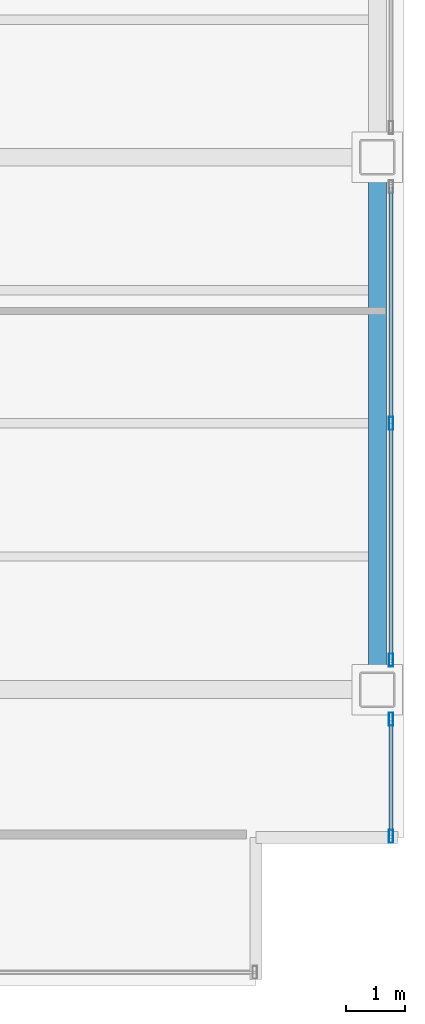
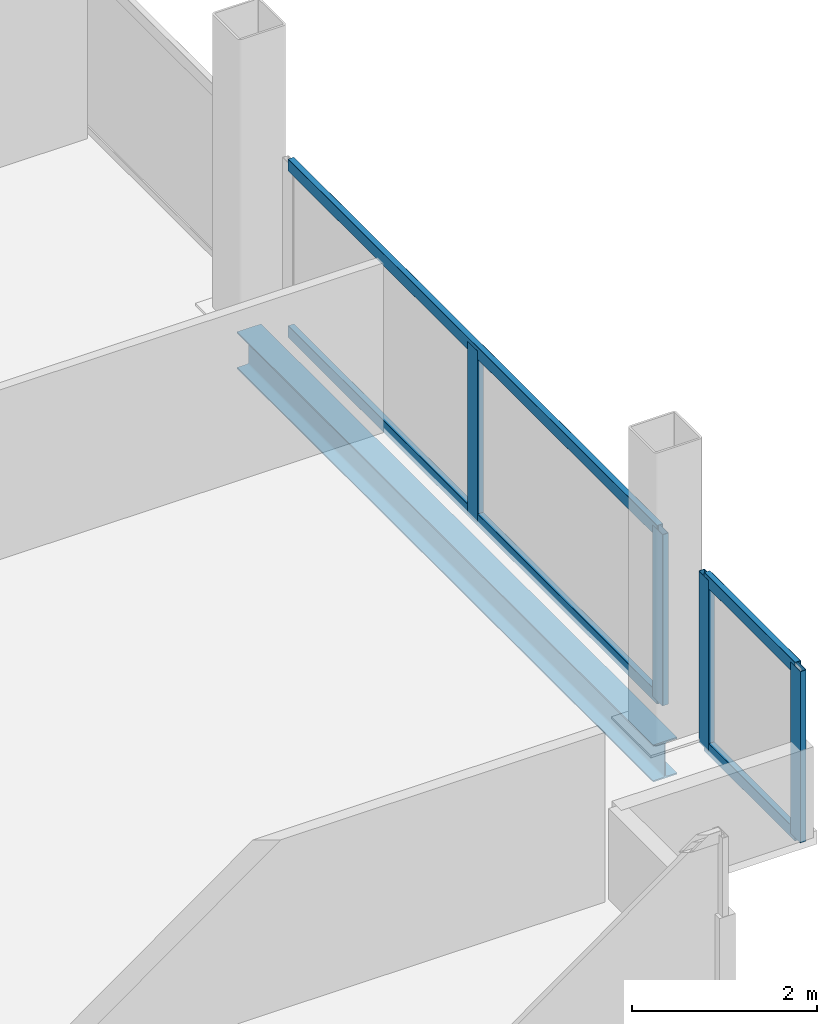
# One storey, part 10 of 21: 8 members, 1 beam, 2 elements without a shape of their own.
"""IFC4 building model written with IfcOpenShell, lengths in metres."""

from ifc_helpers import new_model, si_unit, direction, frame, origin, origin_2d, place, context, subcontext, project, spatial, hollow_rectangle, i_section, extrude, material, material_profile, profile_set, type_object, element, aggregate, save


model = new_model("IFC4")

# Units and contexts
model_context = context("Model", 3, precision=1e-05, world=origin(), true_north=direction((0.0, 1.0)))
body_context = subcontext(model_context, "Body", "Model", "MODEL_VIEW")
ifc_project = project(units=[si_unit("LENGTHUNIT", "METRE"), si_unit("AREAUNIT", "SQUARE_METRE"), si_unit("VOLUMEUNIT", "CUBIC_METRE"), si_unit("PLANEANGLEUNIT", "RADIAN"), si_unit("MASSUNIT", "GRAM", prefix="KILO")], contexts=[model_context])

# Site, building, storey
site_placement = place(None, origin())
site = spatial("IfcSite", under=ifc_project, at=site_placement, CompositionType="ELEMENT")
building_placement = place(site_placement, origin())
building = spatial("IfcBuilding", under=site, at=building_placement, Name="Noeulbin Bourse Tower", CompositionType="ELEMENT")
storey_placement = place(building_placement, frame((0.0, 0.0, 77.199951171875)))
storey = spatial("IfcBuildingStorey", under=building, at=storey_placement, Name="L19", CompositionType="ELEMENT", Elevation=77.199951171875)

# Beam
ifc_material_1 = material(Name="Steel S355", Category="steel")
ifc_material_profile_1 = material_profile(ifc_material_1, i_section(OverallWidth=0.300048828125, OverallDepth=0.488037109375, WebThickness=0.010986328125, FlangeThickness=0.01806640625, FilletRadius=0.02197265625, at=origin_2d()), Name="H-488x300x11x18", Category="LoadBearing")
ifc_profile_set_1 = profile_set([ifc_material_profile_1], Name="Steel S355")
beam_type = type_object("IfcBeamType", Name="BM-SPN-488", PredefinedType="SPANDREL", material=ifc_profile_set_1)
beam_placement = place(storey_placement, frame((57.050048828125, 20.0, -0.424072265625), z_axis=(0.0, 1.0, 0.0), x_axis=(-1.0, 0.0, 0.0)))
element("IfcBeam", 1, at=beam_placement, inside=storey, type_object=beam_type, Name="East Spandrel L19-1", PredefinedType="SPANDREL", context=body_context, shape_type="SweptSolid", body=[
    extrude(i_section(OverallWidth=0.300048828125, OverallDepth=0.488037109375, WebThickness=0.010986328125, FlangeThickness=0.01806640625, FilletRadius=0.02197265625, at=origin_2d()), origin(), (0.0, 0.0, 1.0), 9.0),
])

# Curtain wall, members
ifc_material_2 = material(Name="Dark Solar-Control Double Glazing", Category="glass")
curtain_wall_type = type_object("IfcCurtainWallType", Name="CW-SYS-2", PredefinedType="NOTDEFINED", material=ifc_material_2)
curtain_wall_1_placement = place(storey_placement, origin())
curtain_wall_1 = element("IfcCurtainWall", 2, at=curtain_wall_1_placement, inside=storey, type_object=curtain_wall_type, Name="Unitised Curtain Wall CW-L19-E-S1", PredefinedType="NOTDEFINED")
ifc_material_3 = material(Name="Anodised Aluminium 6063-T6", Category="aluminium")
ifc_material_profile_2 = material_profile(ifc_material_3, hollow_rectangle(XDim=0.074951171875, YDim=0.219970703125, WallThickness=0.0048828125, InnerFilletRadius=0.00244140625, OuterFilletRadius=0.0048828125, at=origin_2d()), Name="ALU-MULL-75x220x5", Category="LoadBearing")
ifc_profile_set_2 = profile_set([ifc_material_profile_2], Name="Anodised Aluminium 6063-T6")
member_type_1 = type_object("IfcMemberType", Name="CW-SYS-2-MUL", PredefinedType="MULLION", material=ifc_profile_set_2)
member_1_placement = place(storey_placement, frame((57.280029296875, 17.52001953125, -0.02001953125), z_axis=(0.0, 0.0, 1.0), x_axis=(1.0, 0.0, 0.0)))
member_1 = element("IfcMember", 3, at=member_1_placement, type_object=member_type_1, Name="Curtain Wall Mullion CW-L19-E-S1-M00", PredefinedType="MULLION", context=body_context, shape_type="SweptSolid", body=[
    extrude(hollow_rectangle(XDim=0.074951171875, YDim=0.219970703125, WallThickness=0.0048828125, InnerFilletRadius=0.00244140625, OuterFilletRadius=0.0048828125, at=origin_2d()), origin(), (0.0, 0.0, 1.0), 2.260009765625),
])
member_2_placement = place(storey_placement, frame((57.280029296875, 19.5, -0.02001953125), z_axis=(0.0, 0.0, 1.0), x_axis=(1.0, 0.0, 0.0)))
member_2 = element("IfcMember", 4, at=member_2_placement, type_object=member_type_1, Name="Curtain Wall Mullion CW-L19-E-S1-M01", PredefinedType="MULLION", context=body_context, shape_type="SweptSolid", body=[
    extrude(hollow_rectangle(XDim=0.074951171875, YDim=0.219970703125, WallThickness=0.0048828125, InnerFilletRadius=0.00244140625, OuterFilletRadius=0.0048828125, at=origin_2d()), origin(), (0.0, 0.0, 1.0), 2.260009765625),
])

curtain_wall_2_placement = place(storey_placement, origin())
curtain_wall_2 = element("IfcCurtainWall", 5, at=curtain_wall_2_placement, inside=storey, type_object=curtain_wall_type, Name="Unitised Curtain Wall CW-L19-E-S2", PredefinedType="NOTDEFINED")
member_3_placement = place(storey_placement, frame((57.280029296875, 20.5, -0.02001953125), z_axis=(0.0, 0.0, 1.0), x_axis=(1.0, 0.0, 0.0)))
member_3 = element("IfcMember", 6, at=member_3_placement, type_object=member_type_1, Name="Curtain Wall Mullion CW-L19-E-S2-M00", PredefinedType="MULLION", context=body_context, shape_type="SweptSolid", body=[
    extrude(hollow_rectangle(XDim=0.074951171875, YDim=0.219970703125, WallThickness=0.0048828125, InnerFilletRadius=0.00244140625, OuterFilletRadius=0.0048828125, at=origin_2d()), origin(), (0.0, 0.0, 1.0), 2.260009765625),
])
member_4_placement = place(storey_placement, frame((57.280029296875, 24.5, -0.02001953125), z_axis=(0.0, 0.0, 1.0), x_axis=(1.0, 0.0, 0.0)))
member_4 = element("IfcMember", 7, at=member_4_placement, type_object=member_type_1, Name="Curtain Wall Mullion CW-L19-E-S2-M01", PredefinedType="MULLION", context=body_context, shape_type="SweptSolid", body=[
    extrude(hollow_rectangle(XDim=0.074951171875, YDim=0.219970703125, WallThickness=0.0048828125, InnerFilletRadius=0.00244140625, OuterFilletRadius=0.0048828125, at=origin_2d()), origin(), (0.0, 0.0, 1.0), 2.260009765625),
])

# Member
ifc_material_profile_3 = material_profile(ifc_material_3, hollow_rectangle(XDim=0.074951171875, YDim=0.159912109375, WallThickness=0.0048828125, InnerFilletRadius=0.00244140625, OuterFilletRadius=0.0048828125, at=origin_2d()), Name="ALU-TRAN-75x160x5", Category="LoadBearing")
ifc_profile_set_3 = profile_set([ifc_material_profile_3], Name="Anodised Aluminium 6063-T6")
member_type_2 = type_object("IfcMemberType", Name="CW-SYS-2-TRN", PredefinedType="USERDEFINED", material=ifc_profile_set_3)
member_5_placement = place(storey_placement, frame((57.280029296875, 17.530029296875, 0.010009765625), z_axis=(0.0, 1.0, 0.0), x_axis=(-1.0, 0.0, 0.0)))
member_5 = element("IfcMember", 8, at=member_5_placement, type_object=member_type_2, Name="Curtain Wall Transom CW-L19-E-S1-T00", ObjectType="TRANSOM", PredefinedType="USERDEFINED", context=body_context, shape_type="SweptSolid", body=[
    extrude(hollow_rectangle(XDim=0.074951171875, YDim=0.159912109375, WallThickness=0.0048828125, InnerFilletRadius=0.00244140625, OuterFilletRadius=0.0048828125, at=origin_2d()), origin(), (0.0, 0.0, 1.0), 1.9599609375),
])

member_6_placement = place(storey_placement, frame((57.280029296875, 17.530029296875, 2.2099609375), z_axis=(0.0, 1.0, 0.0), x_axis=(-1.0, 0.0, 0.0)))
member_6 = element("IfcMember", 9, at=member_6_placement, type_object=member_type_2, Name="Curtain Wall Transom CW-L19-E-S1-T01", ObjectType="TRANSOM", PredefinedType="USERDEFINED", context=body_context, shape_type="SweptSolid", body=[
    extrude(hollow_rectangle(XDim=0.074951171875, YDim=0.159912109375, WallThickness=0.0048828125, InnerFilletRadius=0.00244140625, OuterFilletRadius=0.0048828125, at=origin_2d()), origin(), (0.0, 0.0, 1.0), 1.9599609375),
])

aggregate(curtain_wall_1, [member_1, member_2, member_5, member_6])

member_7_placement = place(storey_placement, frame((57.280029296875, 20.510009765625, 0.010009765625), z_axis=(0.0, 1.0, 0.0), x_axis=(-1.0, 0.0, 0.0)))
member_7 = element("IfcMember", 10, at=member_7_placement, type_object=member_type_2, Name="Curtain Wall Transom CW-L19-E-S2-T00", ObjectType="TRANSOM", PredefinedType="USERDEFINED", context=body_context, shape_type="SweptSolid", body=[
    extrude(hollow_rectangle(XDim=0.074951171875, YDim=0.159912109375, WallThickness=0.0048828125, InnerFilletRadius=0.00244140625, OuterFilletRadius=0.0048828125, at=origin_2d()), origin(), (0.0, 0.0, 1.0), 7.97998046875),
])

member_8_placement = place(storey_placement, frame((57.280029296875, 20.510009765625, 2.2099609375), z_axis=(0.0, 1.0, 0.0), x_axis=(-1.0, 0.0, 0.0)))
member_8 = element("IfcMember", 11, at=member_8_placement, type_object=member_type_2, Name="Curtain Wall Transom CW-L19-E-S2-T01", ObjectType="TRANSOM", PredefinedType="USERDEFINED", context=body_context, shape_type="SweptSolid", body=[
    extrude(hollow_rectangle(XDim=0.074951171875, YDim=0.159912109375, WallThickness=0.0048828125, InnerFilletRadius=0.00244140625, OuterFilletRadius=0.0048828125, at=origin_2d()), origin(), (0.0, 0.0, 1.0), 7.97998046875),
])

aggregate(curtain_wall_2, [member_3, member_4, member_7, member_8])

save(model, "model.ifc")
